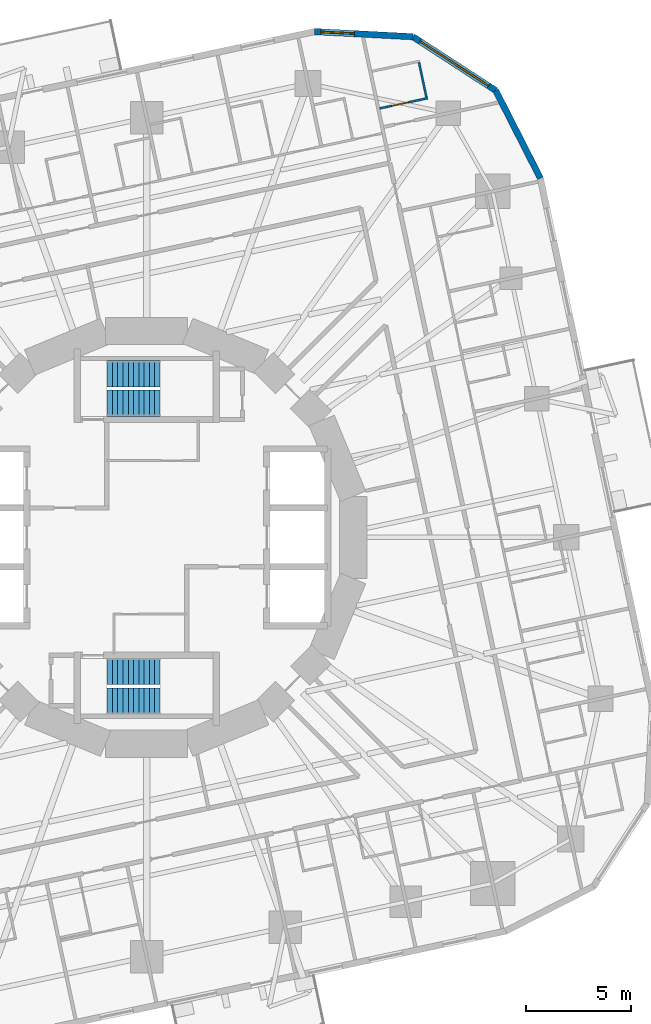
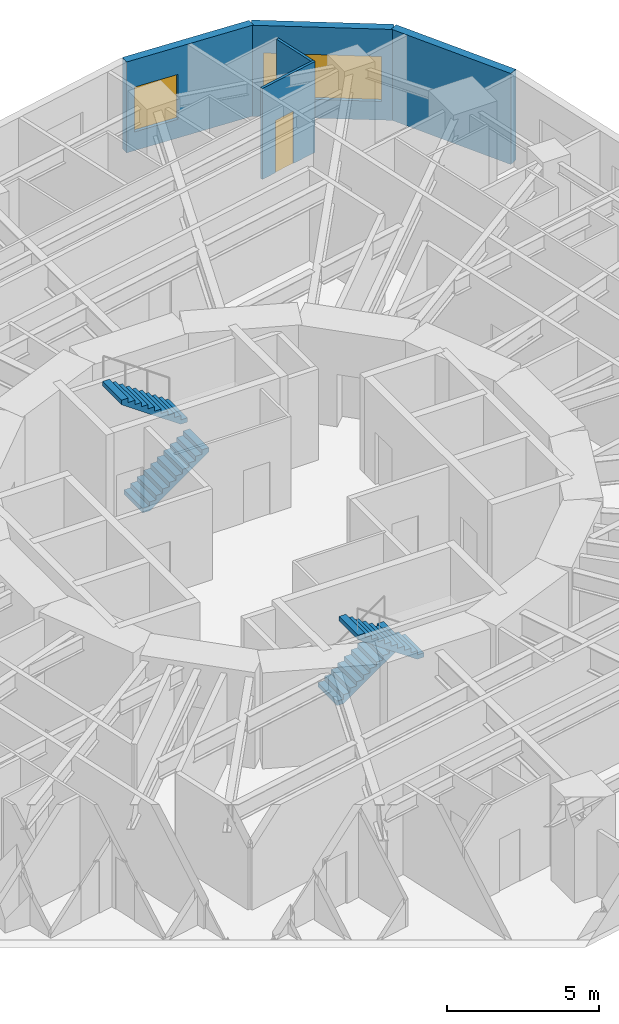
# One storey, part 12 of 14: 5 walls, 4 stair flights, 2 windows, 1 door, 3 openings, 2 elements without a shape of their own.
"""IFC4 building model written with IfcOpenShell, lengths in metres."""

from ifc_helpers import new_model, si_unit, direction, frame, frame_2d, origin, place, context, subcontext, project, spatial, polyline, rectangle, outline, extrude, material, layer, layer_set, type_object, element, fill, aggregate, save


model = new_model("IFC4")

# Units and contexts
model_context = context("Model", 3, precision=1e-05, world=origin(), true_north=direction((0.0, 1.0)))
body_context = subcontext(model_context, "Body", "Model", "MODEL_VIEW")
ifc_project = project(units=[si_unit("LENGTHUNIT", "METRE"), si_unit("AREAUNIT", "SQUARE_METRE"), si_unit("VOLUMEUNIT", "CUBIC_METRE"), si_unit("PLANEANGLEUNIT", "RADIAN"), si_unit("MASSUNIT", "GRAM", prefix="KILO")], contexts=[model_context])

# Site, building, storey
site_placement = place(None, origin())
site = spatial("IfcSite", under=ifc_project, at=site_placement, CompositionType="ELEMENT")
building_placement = place(site_placement, origin())
building = spatial("IfcBuilding", under=site, at=building_placement, Name="Nakasero Lantern House", CompositionType="ELEMENT")
storey_placement = place(building_placement, frame((0.0, 0.0, 112.699951171875)))
storey = spatial("IfcBuildingStorey", under=building, at=storey_placement, Name="L27", CompositionType="ELEMENT", Elevation=112.699951171875)

# Wall, opening, door
ifc_material_1 = material(Name="Blockwork", Category="masonry")
ifc_layer_1 = layer(ifc_material_1, 0.10009765625)
ifc_layer_set_1 = layer_set([ifc_layer_1], Name="En-suite wall 100")
wall_type_1 = type_object("IfcWallType", Name="En-suite wall 100", PredefinedType="PARTITIONING", material=ifc_layer_set_1)
wall_1_placement = place(storey_placement, frame((11.069091796875, 20.382568359375, 0.0), z_axis=(0.0, 0.0, 1.0), x_axis=(0.978136257952, 0.207965047255, 0.0)))
wall_1 = element("IfcWall", 1, at=wall_1_placement, inside=storey, type_object=wall_type_1, Name="En-suite wall L27 ES0-08", PredefinedType="PARTITIONING", context=body_context, shape_type="SweptSolid", body=[
    extrude(rectangle(XDim=2.3349609375, YDim=0.10009765625, at=frame_2d((1.16748046875, 0.0))), origin(), (0.0, 0.0, 1.0), 3.650146484375),
])
opening_1_placement = place(wall_1_placement, frame((0.5849609375, 0.0, 0.0)))
opening_1 = element("IfcOpeningElement", 2, at=opening_1_placement, cuts=wall_1, Name="Opening D02", PredefinedType="OPENING", context=body_context, shape_type="SweptSolid", body=[
    extrude(rectangle(XDim=0.800048828125, YDim=2.10009765625, at=frame_2d((0.39990234375, 1.050048828125))), frame((0.0, 0.070068359375, 0.0), z_axis=(0.0, -1.0, 0.0), x_axis=(1.0, 0.0, 0.0)), (0.0, 0.0, 1.0), 0.14013671875),
])
ifc_material_2 = material(Name="Timber C24", Category="wood")
door_type = type_object("IfcDoorType", Name="En-suite door 800", OperationType="SINGLE_SWING_RIGHT", PredefinedType="DOOR", material=ifc_material_2)
door_placement = place(opening_1_placement, origin())
door = element("IfcDoor", 3, at=door_placement, inside=storey, type_object=door_type, Name="Door L27 DE0-08", OperationType="SINGLE_SWING_LEFT", OverallHeight=2.10009765625, OverallWidth=0.800048828125, PredefinedType="DOOR", context=body_context, shape_type="SweptSolid", body=[
    extrude(rectangle(XDim=0.800048828125, YDim=2.10009765625, at=frame_2d((0.39990234375, 1.050048828125))), frame((0.0, 0.02490234375, 0.0), z_axis=(0.0, -1.0, 0.0), x_axis=(1.0, 0.0, 0.0)), (0.0, 0.0, 1.0), 0.050048828125),
])
fill(opening_1, door)

# Walls
wall_2_placement = place(storey_placement, frame((13.293701171875, 20.906494140625, 0.0), z_axis=(0.0, 0.0, 1.0), x_axis=(-0.207812379357, 0.978168704767, 0.0)))
element("IfcWall", 4, at=wall_2_placement, inside=storey, type_object=wall_type_1, Name="En-suite wall L27 EE0-08", PredefinedType="PARTITIONING", context=body_context, shape_type="SweptSolid", body=[
    extrude(rectangle(XDim=1.699951171875, YDim=0.10009765625, at=frame_2d((0.85009765625, 0.0))), origin(), (0.0, 0.0, 1.0), 3.650146484375),
])
ifc_material_3 = material(Name="Aluminium rainscreen on blockwork", Category="masonry")
ifc_layer_2 = layer(ifc_material_3, 0.300048828125)
ifc_layer_set_2 = layer_set([ifc_layer_2], Name="Facade wall 300")
wall_type_2 = type_object("IfcWallType", Name="Facade wall 300", PredefinedType="SOLIDWALL", material=ifc_layer_set_2)
wall_3_placement = place(storey_placement, frame((18.711181640625, 17.063232421875, 0.0), z_axis=(0.0, 0.0, 1.0), x_axis=(-0.453975745332, 0.89101404178, 0.0)))
element("IfcWall", 5, at=wall_3_placement, inside=storey, type_object=wall_type_2, Name="Facade wall L27 FW0C1", PredefinedType="SOLIDWALL", context=body_context, shape_type="SweptSolid", body=[
    extrude(rectangle(XDim=4.6845703125, YDim=0.300048828125, at=frame_2d((2.34228515625, 0.0))), origin(), (0.0, 0.0, 1.0), 3.650146484375),
])

# Wall, opening, window
wall_4_placement = place(storey_placement, frame((16.58447265625, 21.2373046875, 0.0), z_axis=(0.0, 0.0, 1.0), x_axis=(-0.838692381994, 0.544605442853, 0.0)))
wall_4 = element("IfcWall", 6, at=wall_4_placement, inside=storey, type_object=wall_type_2, Name="Facade wall L27 FW0C2", PredefinedType="SOLIDWALL", context=body_context, shape_type="SweptSolid", body=[
    extrude(rectangle(XDim=4.6845703125, YDim=0.300048828125, at=frame_2d((2.34228515625, 0.0))), origin(), (0.0, 0.0, 1.0), 3.650146484375),
])
opening_2_placement = place(wall_4_placement, frame((0.39990234375, 0.0, 0.75)))
opening_2 = element("IfcOpeningElement", 7, at=opening_2_placement, cuts=wall_4, Name="Opening W238", PredefinedType="OPENING", context=body_context, shape_type="SweptSolid", body=[
    extrude(rectangle(XDim=3.885009765625, YDim=1.800048828125, at=frame_2d((1.9423828125, 0.89990234375))), frame((0.0, 0.169921875, 0.0), z_axis=(0.0, -1.0, 0.0), x_axis=(1.0, 0.0, 0.0)), (0.0, 0.0, 1.0), 0.340087890625),
])
ifc_material_4 = material(Name="Aluminium 6063-T6 and glass", Category="aluminium")
window_type_1 = type_object("IfcWindowType", Name="Corner window 3885x1800", PartitioningType="SINGLE_PANEL", PredefinedType="WINDOW", material=ifc_material_4)
window_1_placement = place(opening_2_placement, origin())
window_1 = element("IfcWindow", 8, at=window_1_placement, inside=storey, type_object=window_type_1, Name="Window L27 WC0", OverallHeight=1.800048828125, OverallWidth=3.885009765625, PartitioningType="SINGLE_PANEL", PredefinedType="WINDOW", context=body_context, shape_type="SweptSolid", body=[
    extrude(rectangle(XDim=3.885009765625, YDim=1.800048828125, at=frame_2d((1.9423828125, 0.89990234375))), frame((0.0, 0.030029296875, 0.0), z_axis=(0.0, -1.0, 0.0), x_axis=(1.0, 0.0, 0.0)), (0.0, 0.0, 1.0), 0.06005859375),
])
fill(opening_2, window_1)

wall_5_placement = place(storey_placement, frame((12.655517578125, 23.78857421875, 0.0), z_axis=(0.0, 0.0, 1.0), x_axis=(-0.998630039879, 0.052326317, 0.0)))
wall_5 = element("IfcWall", 9, at=wall_5_placement, inside=storey, type_object=wall_type_2, Name="Facade wall L27 FW0C3", PredefinedType="SOLIDWALL", context=body_context, shape_type="SweptSolid", body=[
    extrude(rectangle(XDim=4.684326171875, YDim=0.300048828125, at=frame_2d((2.34228515625, 0.0))), origin(), (0.0, 0.0, 1.0), 3.650146484375),
])
opening_3_placement = place(wall_5_placement, frame((2.784912109375, 0.0, 0.75)))
opening_3 = element("IfcOpeningElement", 10, at=opening_3_placement, cuts=wall_5, Name="Opening W01", PredefinedType="OPENING", context=body_context, shape_type="SweptSolid", body=[
    extrude(rectangle(XDim=1.60009765625, YDim=1.800048828125, at=frame_2d((0.800048828125, 0.89990234375))), frame((0.0, 0.169921875, 0.0), z_axis=(0.0, -1.0, 0.0), x_axis=(1.0, 0.0, 0.0)), (0.0, 0.0, 1.0), 0.340087890625),
])
ifc_material_5 = material(Name="Aluminium 6063-T6 and glass", Category="aluminium")
window_type_2 = type_object("IfcWindowType", Name="Bedroom window 1600x1800", PartitioningType="SINGLE_PANEL", PredefinedType="WINDOW", material=ifc_material_5)
window_2_placement = place(opening_3_placement, origin())
window_2 = element("IfcWindow", 11, at=window_2_placement, inside=storey, type_object=window_type_2, Name="Window L27 WN1-00", OverallHeight=1.800048828125, OverallWidth=1.60009765625, PartitioningType="SINGLE_PANEL", PredefinedType="WINDOW", context=body_context, shape_type="SweptSolid", body=[
    extrude(rectangle(XDim=1.60009765625, YDim=1.800048828125, at=frame_2d((0.800048828125, 0.89990234375))), frame((0.0, 0.030029296875, 0.0), z_axis=(0.0, -1.0, 0.0), x_axis=(1.0, 0.0, 0.0)), (0.0, 0.0, 1.0), 0.06005859375),
])
fill(opening_3, window_2)

# Stair, stair flights
ifc_material_6 = material(Name="Concrete C40/50", Category="concrete")
stair_type_1 = type_object("IfcStairType", Name="Escape stair ST1 22 risers", PredefinedType="HALF_TURN_STAIR", material=ifc_material_6)
stair_1_placement = place(storey_placement, origin())
stair_1 = element("IfcStair", 12, at=stair_1_placement, inside=storey, type_object=stair_type_1, Name="Escape stair ST1 L27", PredefinedType="HALF_TURN_STAIR")
ifc_material_7 = material(Name="Concrete C40/50", Category="concrete")
stair_flight_type = type_object("IfcStairFlightType", Name="Escape stair flight", PredefinedType="STRAIGHT", material=ifc_material_7)
stair_flight_1_placement = place(storey_placement, frame((-1.875, 6.375, 0.0), z_axis=(0.0, 0.0, 1.0), x_axis=(1.0, 0.0, 0.0)))
stair_flight_1 = element("IfcStairFlight", 13, at=stair_flight_1_placement, type_object=stair_flight_type, Name="ST1 flight 1", NumberOfRisers=11, NumberOfTreads=10, PredefinedType="STRAIGHT", RiserHeight=0.175, TreadLength=0.25, context=body_context, shape_type="SweptSolid", body=[
    extrude(outline(polyline([(0.0, 0.0), (0.0, 0.175048828125), (0.25, 0.175048828125), (0.25, 0.35009765625), (0.5, 0.35009765625), (0.5, 0.52490234375), (0.75, 0.52490234375), (0.75, 0.699951171875), (1.0, 0.699951171875), (1.0, 0.875), (1.25, 0.875), (1.25, 1.050048828125), (1.5, 1.050048828125), (1.5, 1.22509765625), (1.75, 1.22509765625), (1.75, 1.39990234375), (2.0, 1.39990234375), (2.0, 1.574951171875), (2.25, 1.574951171875), (2.25, 1.75), (2.5, 1.75), (2.5, 1.925048828125), (2.5, 1.567138671875), (0.261474609375, 0.0), (0.0, 0.0)])), frame((0.0, 0.625, 0.0), z_axis=(0.0, -1.0, 0.0), x_axis=(1.0, 0.0, 0.0)), (0.0, 0.0, 1.0), 1.25),
])
stair_flight_2_placement = place(storey_placement, frame((0.625, 7.77490234375, 1.925048828125), z_axis=(0.0, 0.0, 1.0), x_axis=(-1.0, 0.0, 0.0)))
stair_flight_2 = element("IfcStairFlight", 14, at=stair_flight_2_placement, type_object=stair_flight_type, Name="ST1 flight 2", NumberOfRisers=11, NumberOfTreads=10, PredefinedType="STRAIGHT", RiserHeight=0.175, TreadLength=0.25, context=body_context, shape_type="SweptSolid", body=[
    extrude(outline(polyline([(0.0, 0.0), (0.0, 0.175048828125), (0.25, 0.175048828125), (0.25, 0.35009765625), (0.5, 0.35009765625), (0.5, 0.52490234375), (0.75, 0.52490234375), (0.75, 0.699951171875), (1.0, 0.699951171875), (1.0, 0.875), (1.25, 0.875), (1.25, 1.050048828125), (1.5, 1.050048828125), (1.5, 1.22509765625), (1.75, 1.22509765625), (1.75, 1.39990234375), (2.0, 1.39990234375), (2.0, 1.574951171875), (2.25, 1.574951171875), (2.25, 1.75), (2.5, 1.75), (2.5, 1.925048828125), (2.5, 1.567138671875), (0.261474609375, 0.0), (0.0, 0.0)])), frame((0.0, 0.625, 0.0), z_axis=(0.0, -1.0, 0.0), x_axis=(1.0, 0.0, 0.0)), (0.0, 0.0, 1.0), 1.25),
])
aggregate(stair_1, [stair_flight_1, stair_flight_2])

ifc_material_8 = material(Name="Concrete C40/50", Category="concrete")
stair_type_2 = type_object("IfcStairType", Name="Escape stair ST2 22 risers", PredefinedType="HALF_TURN_STAIR", material=ifc_material_8)
stair_2_placement = place(storey_placement, origin())
stair_2 = element("IfcStair", 15, at=stair_2_placement, inside=storey, type_object=stair_type_2, Name="Escape stair ST2 L27", PredefinedType="HALF_TURN_STAIR")
stair_flight_3_placement = place(storey_placement, frame((-1.875, -6.375, 0.0), z_axis=(0.0, 0.0, 1.0), x_axis=(1.0, 0.0, 0.0)))
stair_flight_3 = element("IfcStairFlight", 16, at=stair_flight_3_placement, type_object=stair_flight_type, Name="ST2 flight 1", NumberOfRisers=11, NumberOfTreads=10, PredefinedType="STRAIGHT", RiserHeight=0.175, TreadLength=0.25, context=body_context, shape_type="SweptSolid", body=[
    extrude(outline(polyline([(0.0, 0.0), (0.0, 0.175048828125), (0.25, 0.175048828125), (0.25, 0.35009765625), (0.5, 0.35009765625), (0.5, 0.52490234375), (0.75, 0.52490234375), (0.75, 0.699951171875), (1.0, 0.699951171875), (1.0, 0.875), (1.25, 0.875), (1.25, 1.050048828125), (1.5, 1.050048828125), (1.5, 1.22509765625), (1.75, 1.22509765625), (1.75, 1.39990234375), (2.0, 1.39990234375), (2.0, 1.574951171875), (2.25, 1.574951171875), (2.25, 1.75), (2.5, 1.75), (2.5, 1.925048828125), (2.5, 1.567138671875), (0.261474609375, 0.0), (0.0, 0.0)])), frame((0.0, 0.625, 0.0), z_axis=(0.0, -1.0, 0.0), x_axis=(1.0, 0.0, 0.0)), (0.0, 0.0, 1.0), 1.25),
])
stair_flight_4_placement = place(storey_placement, frame((0.625, -7.77490234375, 1.925048828125), z_axis=(0.0, 0.0, 1.0), x_axis=(-1.0, 0.0, 0.0)))
stair_flight_4 = element("IfcStairFlight", 17, at=stair_flight_4_placement, type_object=stair_flight_type, Name="ST2 flight 2", NumberOfRisers=11, NumberOfTreads=10, PredefinedType="STRAIGHT", RiserHeight=0.175, TreadLength=0.25, context=body_context, shape_type="SweptSolid", body=[
    extrude(outline(polyline([(0.0, 0.0), (0.0, 0.175048828125), (0.25, 0.175048828125), (0.25, 0.35009765625), (0.5, 0.35009765625), (0.5, 0.52490234375), (0.75, 0.52490234375), (0.75, 0.699951171875), (1.0, 0.699951171875), (1.0, 0.875), (1.25, 0.875), (1.25, 1.050048828125), (1.5, 1.050048828125), (1.5, 1.22509765625), (1.75, 1.22509765625), (1.75, 1.39990234375), (2.0, 1.39990234375), (2.0, 1.574951171875), (2.25, 1.574951171875), (2.25, 1.75), (2.5, 1.75), (2.5, 1.925048828125), (2.5, 1.567138671875), (0.261474609375, 0.0), (0.0, 0.0)])), frame((0.0, 0.625, 0.0), z_axis=(0.0, -1.0, 0.0), x_axis=(1.0, 0.0, 0.0)), (0.0, 0.0, 1.0), 1.25),
])
aggregate(stair_2, [stair_flight_3, stair_flight_4])

save(model, "model.ifc")
